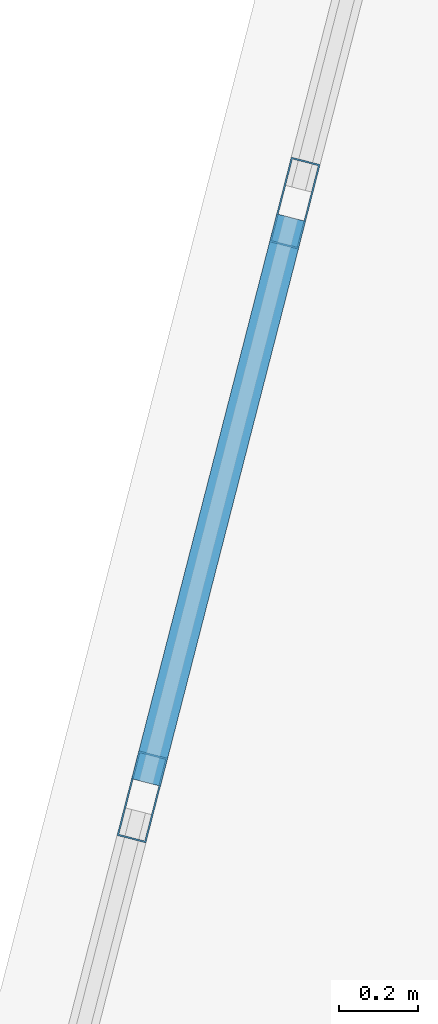
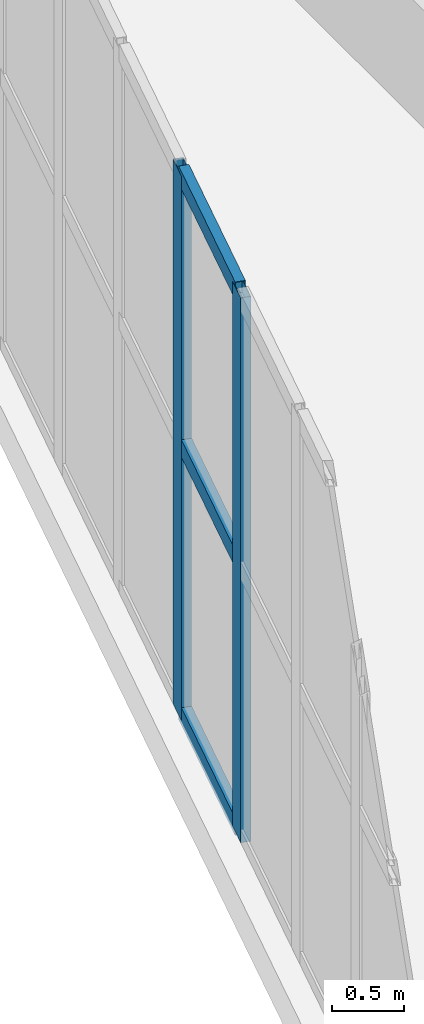
# One storey, part 15 of 35: 5 members, 1 element without a shape of its own.
"""IFC4 building model written with IfcOpenShell, lengths in metres."""

from ifc_helpers import new_model, si_unit, direction, frame, origin, origin_2d, place, context, subcontext, project, spatial, hollow_rectangle, extrude, material, layer, layer_set, material_profile, profile_set, type_object, element, aggregate, save


model = new_model("IFC4")

# Units and contexts
model_context = context("Model", 3, precision=1e-05, world=origin(), true_north=direction((0.0, 1.0)))
body_context = subcontext(model_context, "Body", "Model", "MODEL_VIEW")
ifc_project = project(units=[si_unit("LENGTHUNIT", "METRE"), si_unit("AREAUNIT", "SQUARE_METRE"), si_unit("VOLUMEUNIT", "CUBIC_METRE"), si_unit("PLANEANGLEUNIT", "RADIAN"), si_unit("MASSUNIT", "GRAM", prefix="KILO")], contexts=[model_context])

# Site, building, storey
site_placement = place(None, origin())
site = spatial("IfcSite", under=ifc_project, at=site_placement, CompositionType="ELEMENT")
building_placement = place(site_placement, origin())
building = spatial("IfcBuilding", under=site, at=building_placement, Name="Kilnhurst Terrace Hotel", CompositionType="ELEMENT")
storey_placement = place(building_placement, origin())
storey = spatial("IfcBuildingStorey", under=building, at=storey_placement, Name="L00", CompositionType="ELEMENT", Elevation=0.0)

# Curtain wall, members
ifc_material_1 = material(Name="Anodized Aluminium Alloy 6063-T6 and Low-E Glass", Category="aluminium")
ifc_layer = layer(ifc_material_1, 0.219970703125, Name="Anodized Aluminium Alloy 6063-T6 and Low-E Glass")
ifc_layer_set = layer_set([ifc_layer], Name="Anodized Aluminium Alloy 6063-T6 and Low-E Glass")
curtain_wall_type = type_object("IfcCurtainWallType", Name="CW-POD-LOBBY", PredefinedType="NOTDEFINED", material=ifc_layer_set)
curtain_wall_placement = place(storey_placement, origin())
curtain_wall = element("IfcCurtainWall", 1, at=curtain_wall_placement, inside=storey, type_object=curtain_wall_type, Name="L00 Curtain Wall CW-L00-F5-1", PredefinedType="NOTDEFINED")
ifc_material_2 = material(Name="Extruded Aluminium Alloy 6063-T6", Category="aluminium")
ifc_material_profile_1 = material_profile(ifc_material_2, hollow_rectangle(XDim=0.074951171875, YDim=0.219970703125, WallThickness=0.00390625, at=origin_2d()), Name="CWM75X220")
ifc_profile_set_1 = profile_set([ifc_material_profile_1], Name="Extruded Aluminium Alloy 6063-T6")
member_type_1 = type_object("IfcMemberType", Name="MEM-CWM75X220", PredefinedType="MULLION", material=ifc_profile_set_1)
member_1_placement = place(storey_placement, frame((-29.65234375, 14.26513671875, 0.0), z_axis=(0.0, 0.0, 1.0), x_axis=(0.968570392874, -0.248739610933, 0.0)))
member_1 = element("IfcMember", 2, at=member_1_placement, type_object=member_type_1, Name="CWL-1 mullion 6", PredefinedType="MULLION", context=body_context, shape_type="SweptSolid", body=[
    extrude(hollow_rectangle(XDim=0.074951171875, YDim=0.219970703125, WallThickness=0.00390625, at=origin_2d()), origin(), (0.0, 0.0, 1.0), 4.64990234375),
])
member_2_placement = place(storey_placement, frame((-30.036376953125, 12.770263671875, 0.0), z_axis=(0.0, 0.0, 1.0), x_axis=(0.968570392874, -0.248739610933, 0.0)))
member_2 = element("IfcMember", 3, at=member_2_placement, type_object=member_type_1, Name="CWL-1 mullion 7", PredefinedType="MULLION", context=body_context, shape_type="SweptSolid", body=[
    extrude(hollow_rectangle(XDim=0.074951171875, YDim=0.219970703125, WallThickness=0.00390625, at=origin_2d()), origin(), (0.0, 0.0, 1.0), 4.64990234375),
])
ifc_material_profile_2 = material_profile(ifc_material_2, hollow_rectangle(XDim=0.074951171875, YDim=0.14990234375, WallThickness=0.00390625, at=origin_2d()), Name="CWT75X150")
ifc_profile_set_2 = profile_set([ifc_material_profile_2], Name="Extruded Aluminium Alloy 6063-T6")
member_type_2 = type_object("IfcMemberType", Name="MEM-CWT75X150", PredefinedType="USERDEFINED", material=ifc_profile_set_2)
member_3_placement = place(storey_placement, frame((-29.66162109375, 14.228759765625, 0.03759765625), z_axis=(-0.24871132416, -0.968577656791, 0.0), x_axis=(0.968577656791, -0.24871132416, 0.0)))
member_3 = element("IfcMember", 4, at=member_3_placement, type_object=member_type_2, Name="CWL-1 transom 6.1", ObjectType="TRANSOM", PredefinedType="USERDEFINED", context=body_context, shape_type="SweptSolid", body=[
    extrude(hollow_rectangle(XDim=0.074951171875, YDim=0.14990234375, WallThickness=0.00390625, at=origin_2d()), origin(), (0.0, 0.0, 1.0), 1.468505859375),
])
member_4_placement = place(storey_placement, frame((-29.66162109375, 14.228759765625, 2.324951171875), z_axis=(-0.24871132416, -0.968577656791, 0.0), x_axis=(0.968577656791, -0.24871132416, 0.0)))
member_4 = element("IfcMember", 5, at=member_4_placement, type_object=member_type_2, Name="CWL-1 transom 6.2", ObjectType="TRANSOM", PredefinedType="USERDEFINED", context=body_context, shape_type="SweptSolid", body=[
    extrude(hollow_rectangle(XDim=0.074951171875, YDim=0.14990234375, WallThickness=0.00390625, at=origin_2d()), origin(), (0.0, 0.0, 1.0), 1.468505859375),
])
member_5_placement = place(storey_placement, frame((-29.66162109375, 14.228759765625, 4.612548828125), z_axis=(-0.24871132416, -0.968577656791, 0.0), x_axis=(0.968577656791, -0.24871132416, 0.0)))
member_5 = element("IfcMember", 6, at=member_5_placement, type_object=member_type_2, Name="CWL-1 transom 6.3", ObjectType="TRANSOM", PredefinedType="USERDEFINED", context=body_context, shape_type="SweptSolid", body=[
    extrude(hollow_rectangle(XDim=0.074951171875, YDim=0.14990234375, WallThickness=0.00390625, at=origin_2d()), origin(), (0.0, 0.0, 1.0), 1.468505859375),
])
aggregate(curtain_wall, [member_1, member_2, member_3, member_4, member_5])

save(model, "model.ifc")
